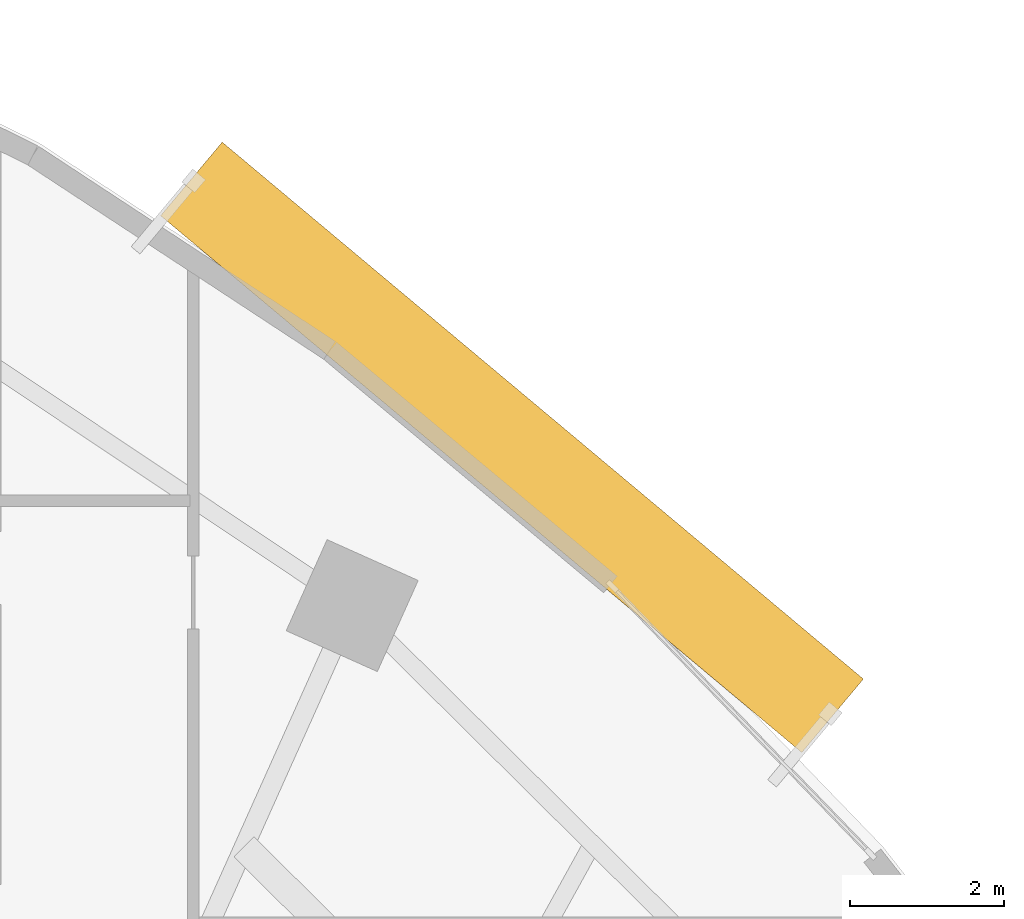
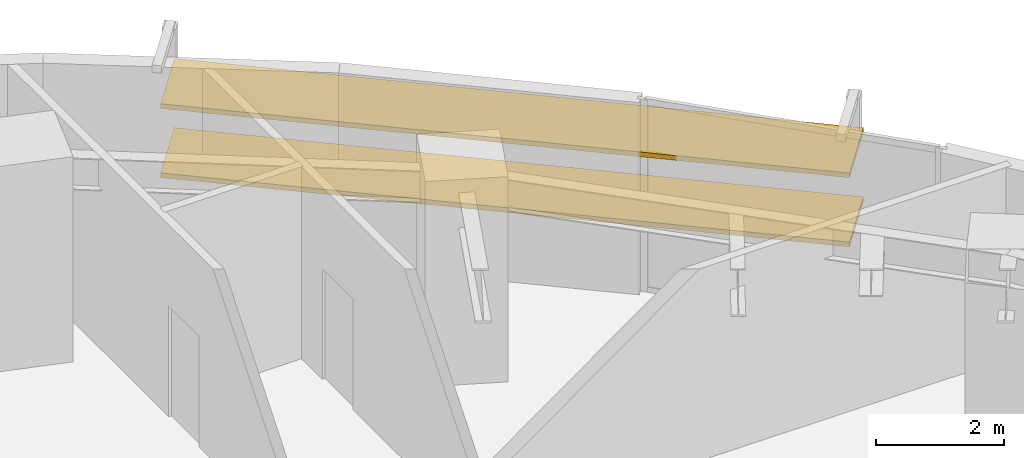
# One storey, part 13 of 13: 2 shading devices.
"""IFC4 building model written with IfcOpenShell, lengths in metres."""

from ifc_helpers import new_model, si_unit, direction, frame, origin, origin_2d, place, context, subcontext, project, spatial, rectangle, extrude, source, transform, mapped, material, material_profile, profile_set, type_object, element, save


model = new_model("IFC4")

# Units and contexts
model_context = context("Model", 3, precision=1e-05, world=origin(), true_north=direction((0.0, 1.0)))
body_context = subcontext(model_context, "Body", "Model", "MODEL_VIEW")
ifc_project = project(units=[si_unit("LENGTHUNIT", "METRE"), si_unit("AREAUNIT", "SQUARE_METRE"), si_unit("VOLUMEUNIT", "CUBIC_METRE"), si_unit("PLANEANGLEUNIT", "RADIAN"), si_unit("MASSUNIT", "GRAM", prefix="KILO")], contexts=[model_context])

# Site, building, storey
site_placement = place(None, origin())
site = spatial("IfcSite", under=ifc_project, at=site_placement, CompositionType="ELEMENT")
building_placement = place(site_placement, origin())
building = spatial("IfcBuilding", under=site, at=building_placement, Name="Breltana Convention Tower", CompositionType="ELEMENT")
storey_placement = place(building_placement, frame((0.0, 0.0, 96.0)))
storey = spatial("IfcBuildingStorey", under=building, at=storey_placement, Name="L22", CompositionType="ELEMENT", Elevation=96.0)

# Shading devices
ifc_material = material(Name="Limestone Warm Buff Honed", Category="masonry")
ifc_material_profile = material_profile(ifc_material, rectangle(XDim=1.25, YDim=0.090087890625, at=origin_2d()), Name="STN-LVR-1250X90")
ifc_profile_set = profile_set([ifc_material_profile], Name="Limestone Warm Buff Honed")
shading_device_type = type_object("IfcShadingDeviceType", Name="SHD-OUTER-SKIN-LIMESTONE-1250", PredefinedType="JALOUSIE", material=ifc_profile_set)
shared_shape = source(origin(), body_context, "Body", "SweptSolid", [
    extrude(rectangle(XDim=1.25, YDim=0.090087890625, at=origin_2d()), origin(), (0.0, 0.0, 1.0), 10.892333984375),
])
for number, where, z_axis, x_axis, name in (
    (1, (66.81591796875, 74.190673828125, 1.31396484375), (0.766718160057, -0.641983849515, 0.0), (0.641983849515, 0.766718160057, 0.0), "L22 outer skin warm limestone louvre 2.1"),
    (2, (66.81591796875, 74.190673828125, 2.6279296875), (0.766718160057, -0.641983849515, 0.0), (0.641983849515, 0.766718160057, 0.0), "L22 outer skin warm limestone louvre 2.2"),
):
    element("IfcShadingDevice", number, at=place(storey_placement, frame(where, z_axis=z_axis, x_axis=x_axis)), inside=storey, type_object=shading_device_type, Name=name, PredefinedType="JALOUSIE", context=body_context, shape_type="MappedRepresentation", body=[
        mapped(shared_shape, transform((0.0, 0.0, 0.0), scale=1.0)),
    ])

save(model, "model.ifc")
